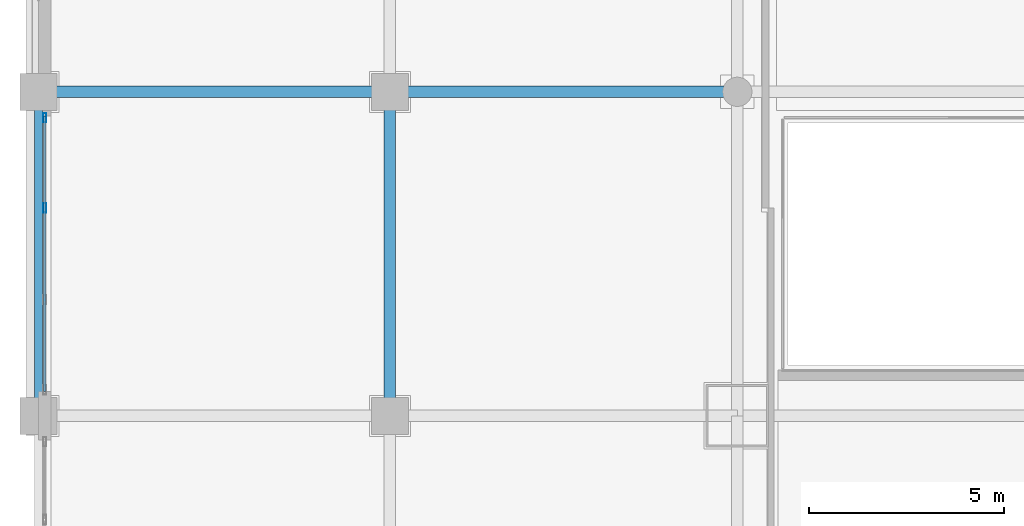
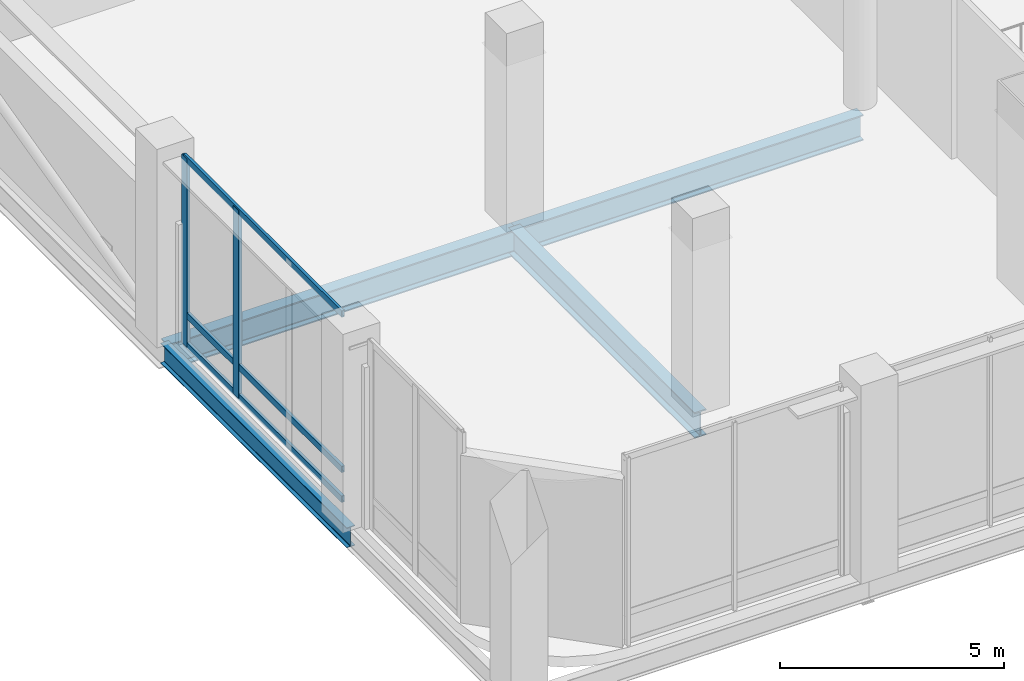
# One storey, part 3 of 39: 5 members, 4 beams, 1 element without a shape of its own.
"""IFC4 building model written with IfcOpenShell, lengths in metres."""

from ifc_helpers import new_model, si_unit, direction, frame, origin, origin_2d, place, context, subcontext, project, spatial, hollow_rectangle, i_section, extrude, material, material_profile, profile_set, type_object, element, aggregate, save


model = new_model("IFC4")

# Units and contexts
model_context = context("Model", 3, precision=1e-05, world=origin(), true_north=direction((0.0, 1.0)))
body_context = subcontext(model_context, "Body", "Model", "MODEL_VIEW")
ifc_project = project(units=[si_unit("LENGTHUNIT", "METRE"), si_unit("AREAUNIT", "SQUARE_METRE"), si_unit("VOLUMEUNIT", "CUBIC_METRE"), si_unit("PLANEANGLEUNIT", "RADIAN"), si_unit("MASSUNIT", "GRAM", prefix="KILO")], contexts=[model_context])

# Site, building, storey
site_placement = place(None, origin())
site = spatial("IfcSite", under=ifc_project, at=site_placement, CompositionType="ELEMENT")
building_placement = place(site_placement, origin())
building = spatial("IfcBuilding", under=site, at=building_placement, Name="Punatoya Terracotta Tower", CompositionType="ELEMENT")
storey_placement = place(building_placement, frame((0.0, 0.0, 11.39990234375)))
storey = spatial("IfcBuildingStorey", under=building, at=storey_placement, Name="L02", CompositionType="ELEMENT", Elevation=11.39990234375)

# Beams
ifc_material_1 = material(Name="Steel S355", Category="steel")
ifc_material_profile_1 = material_profile(ifc_material_1, i_section(OverallWidth=0.300048828125, OverallDepth=0.699951171875, WebThickness=0.01708984375, FlangeThickness=0.031982421875, FilletRadius=0.01806640625, at=origin_2d()))
ifc_profile_set_1 = profile_set([ifc_material_profile_1], Name="Steel S355")
beam_type_1 = type_object("IfcBeamType", Name="BM-PRI-700", PredefinedType="BEAM", material=ifc_profile_set_1)
beam_1_placement = place(storey_placement, frame((-37.0, -9.199951171875, -0.6298828125), z_axis=(1.0, 0.0, 0.0), x_axis=(0.0, 1.0, 0.0)))
element("IfcBeam", 1, at=beam_1_placement, inside=storey, type_object=beam_type_1, Name="BM-L02-CW1", PredefinedType="BEAM", context=body_context, shape_type="SweptSolid", body=[
    extrude(i_section(OverallWidth=0.300048828125, OverallDepth=0.699951171875, WebThickness=0.01708984375, FlangeThickness=0.031982421875, FilletRadius=0.01806640625, at=origin_2d()), origin(), (0.0, 0.0, 1.0), 9.0),
])
beam_2_placement = place(storey_placement, frame((-28.0, -9.199951171875, -0.6298828125), z_axis=(1.0, 0.0, 0.0), x_axis=(0.0, 1.0, 0.0)))
element("IfcBeam", 2, at=beam_2_placement, inside=storey, type_object=beam_type_1, Name="BM-L02-CW2", PredefinedType="BEAM", context=body_context, shape_type="SweptSolid", body=[
    extrude(i_section(OverallWidth=0.300048828125, OverallDepth=0.699951171875, WebThickness=0.01708984375, FlangeThickness=0.031982421875, FilletRadius=0.01806640625, at=origin_2d()), origin(), (0.0, 0.0, 1.0), 8.89990234375),
])
beam_3_placement = place(storey_placement, frame((-28.0, -17.5, -0.6298828125), z_axis=(0.0, 1.0, 0.0), x_axis=(-1.0, 0.0, 0.0)))
element("IfcBeam", 3, at=beam_3_placement, inside=storey, type_object=beam_type_1, Name="BM-L02-X28W--17", PredefinedType="BEAM", context=body_context, shape_type="SweptSolid", body=[
    extrude(i_section(OverallWidth=0.300048828125, OverallDepth=0.699951171875, WebThickness=0.01708984375, FlangeThickness=0.031982421875, FilletRadius=0.01806640625, at=origin_2d()), origin(), (0.0, 0.0, 1.0), 8.300048828125),
])
ifc_material_profile_2 = material_profile(ifc_material_1, i_section(OverallWidth=0.2099609375, OverallDepth=0.550048828125, WebThickness=0.010986328125, FlangeThickness=0.01708984375, FilletRadius=0.01806640625, at=origin_2d()))
ifc_profile_set_2 = profile_set([ifc_material_profile_2], Name="Steel S355")
beam_type_2 = type_object("IfcBeamType", Name="BM-SPN-550", PredefinedType="SPANDREL", material=ifc_profile_set_2)
beam_4_placement = place(storey_placement, frame((-37.0, -17.5, -0.554931640625), z_axis=(0.0, 1.0, 0.0), x_axis=(-1.0, 0.0, 0.0)))
element("IfcBeam", 4, at=beam_4_placement, inside=storey, type_object=beam_type_2, Name="BM-L02-X37W--17", PredefinedType="SPANDREL", context=body_context, shape_type="SweptSolid", body=[
    extrude(i_section(OverallWidth=0.2099609375, OverallDepth=0.550048828125, WebThickness=0.010986328125, FlangeThickness=0.01708984375, FilletRadius=0.01806640625, at=origin_2d()), origin(), (0.0, 0.0, 1.0), 8.300048828125),
])

# Curtain wall, members
ifc_material_2 = material(Name="Aluminium 6063-T6 + Double Low-E Glass", Category="aluminium")
curtain_wall_type = type_object("IfcCurtainWallType", Name="CW-POD", PredefinedType="NOTDEFINED", material=ifc_material_2)
curtain_wall_placement = place(storey_placement, origin())
curtain_wall = element("IfcCurtainWall", 5, at=curtain_wall_placement, inside=storey, type_object=curtain_wall_type, Name="L02 Curtain Wall CWP-L02-W2", PredefinedType="NOTDEFINED")
ifc_material_3 = material(Name="Aluminium 6063-T6", Category="aluminium")
ifc_material_profile_3 = material_profile(ifc_material_3, hollow_rectangle(XDim=0.0849609375, YDim=0.239990234375, WallThickness=0.0048828125, at=origin_2d()))
ifc_profile_set_3 = profile_set([ifc_material_profile_3], Name="Aluminium 6063-T6")
member_type_1 = type_object("IfcMemberType", Name="CW-MUL-POD", PredefinedType="MULLION", material=ifc_profile_set_3)
member_1_placement = place(storey_placement, frame((-36.840087890625, -12.17333984375, 0.0), z_axis=(0.0, 0.0, 1.0), x_axis=(1.0, 0.0, 0.0)))
member_1 = element("IfcMember", 6, at=member_1_placement, type_object=member_type_1, Name="CWP-L02-W2 Mullion 02", PredefinedType="MULLION", context=body_context, shape_type="SweptSolid", body=[
    extrude(hollow_rectangle(XDim=0.0849609375, YDim=0.239990234375, WallThickness=0.0048828125, at=origin_2d()), origin(), (0.0, 0.0, 1.0), 5.1201171875),
])
member_2_placement = place(storey_placement, frame((-36.840087890625, -9.864990234375, 0.0), z_axis=(0.0, 0.0, 1.0), x_axis=(1.0, 0.0, 0.0)))
member_2 = element("IfcMember", 7, at=member_2_placement, type_object=member_type_1, Name="CWP-L02-W2 Mullion 03", PredefinedType="MULLION", context=body_context, shape_type="SweptSolid", body=[
    extrude(hollow_rectangle(XDim=0.0849609375, YDim=0.239990234375, WallThickness=0.0048828125, at=origin_2d()), origin(), (0.0, 0.0, 1.0), 5.1201171875),
])
ifc_material_profile_4 = material_profile(ifc_material_3, hollow_rectangle(XDim=0.074951171875, YDim=0.175048828125, WallThickness=0.00439453125, at=origin_2d()))
ifc_profile_set_4 = profile_set([ifc_material_profile_4], Name="Aluminium 6063-T6")
member_type_2 = type_object("IfcMemberType", Name="CW-TRN-POD", PredefinedType="USERDEFINED", material=ifc_profile_set_4)
member_3_placement = place(storey_placement, frame((-36.840087890625, -16.8798828125, 0.0400390625), z_axis=(0.0, 1.0, 0.0), x_axis=(-1.0, 0.0, 0.0)))
member_3 = element("IfcMember", 8, at=member_3_placement, type_object=member_type_2, Name="CWP-L02-W2 Transom 1", ObjectType="TRANSOM", PredefinedType="USERDEFINED", context=body_context, shape_type="SweptSolid", body=[
    extrude(hollow_rectangle(XDim=0.074951171875, YDim=0.175048828125, WallThickness=0.00439453125, at=origin_2d()), origin(), (0.0, 0.0, 1.0), 7.059814453125),
])
member_4_placement = place(storey_placement, frame((-36.840087890625, -16.8798828125, 0.85009765625), z_axis=(0.0, 1.0, 0.0), x_axis=(-1.0, 0.0, 0.0)))
member_4 = element("IfcMember", 9, at=member_4_placement, type_object=member_type_2, Name="CWP-L02-W2 Transom 2", ObjectType="TRANSOM", PredefinedType="USERDEFINED", context=body_context, shape_type="SweptSolid", body=[
    extrude(hollow_rectangle(XDim=0.074951171875, YDim=0.175048828125, WallThickness=0.00439453125, at=origin_2d()), origin(), (0.0, 0.0, 1.0), 7.059814453125),
])
member_5_placement = place(storey_placement, frame((-36.840087890625, -16.8798828125, 5.080078125), z_axis=(0.0, 1.0, 0.0), x_axis=(-1.0, 0.0, 0.0)))
member_5 = element("IfcMember", 10, at=member_5_placement, type_object=member_type_2, Name="CWP-L02-W2 Transom 3", ObjectType="TRANSOM", PredefinedType="USERDEFINED", context=body_context, shape_type="SweptSolid", body=[
    extrude(hollow_rectangle(XDim=0.074951171875, YDim=0.175048828125, WallThickness=0.00439453125, at=origin_2d()), origin(), (0.0, 0.0, 1.0), 7.059814453125),
])
aggregate(curtain_wall, [member_1, member_2, member_3, member_4, member_5])

save(model, "model.ifc")
